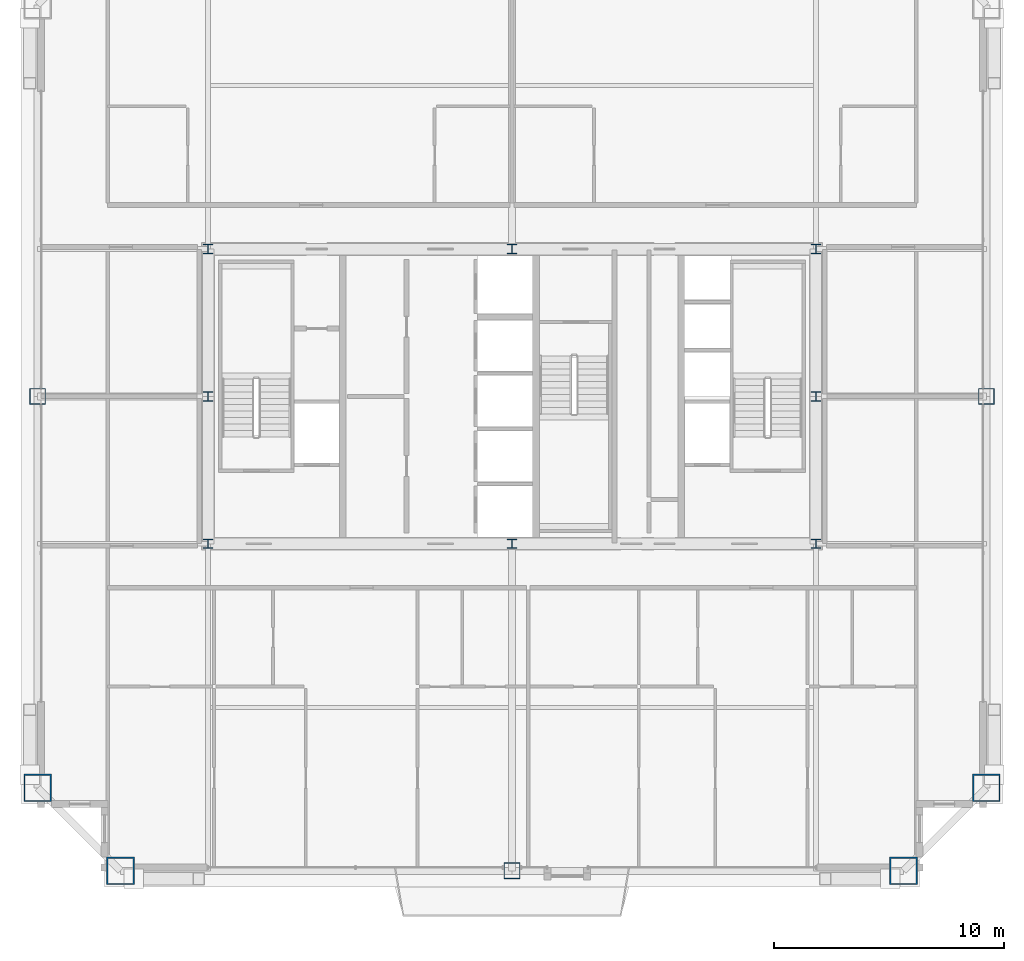
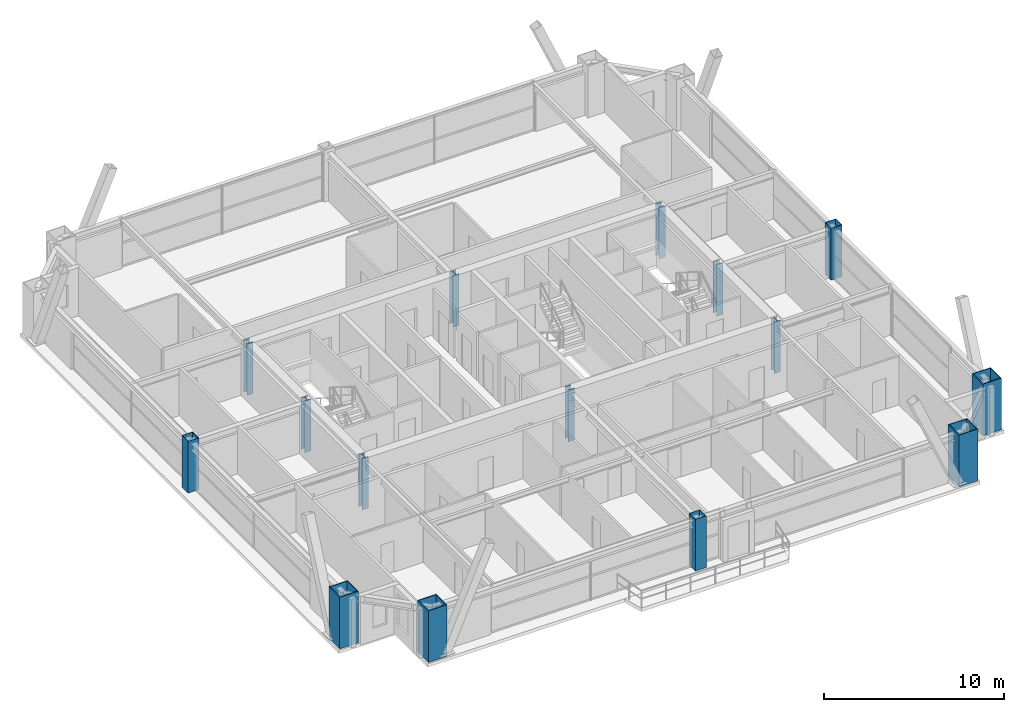
# One storey, part 1 of 35: 15 columns.
"""IFC4 building model written with IfcOpenShell, lengths in metres."""

from ifc_helpers import new_model, si_unit, direction, frame, origin, origin_2d, place, context, subcontext, project, spatial, hollow_rectangle, i_section, extrude, source, transform, mapped, material, material_profile, profile_set, type_object, element, save


model = new_model("IFC4")

# Units and contexts
model_context = context("Model", 3, precision=1e-05, world=origin(), true_north=direction((0.0, 1.0)))
body_context = subcontext(model_context, "Body", "Model", "MODEL_VIEW")
ifc_project = project(units=[si_unit("LENGTHUNIT", "METRE"), si_unit("AREAUNIT", "SQUARE_METRE"), si_unit("VOLUMEUNIT", "CUBIC_METRE"), si_unit("PLANEANGLEUNIT", "RADIAN"), si_unit("MASSUNIT", "GRAM", prefix="KILO"), si_unit("THERMODYNAMICTEMPERATUREUNIT", "KELVIN"), si_unit("POWERUNIT", "WATT")], contexts=[model_context])

# Site, building, storey
site_placement = place(None, origin())
site = spatial("IfcSite", under=ifc_project, at=site_placement, CompositionType="ELEMENT")
building_placement = place(site_placement, origin())
building = spatial("IfcBuilding", under=site, at=building_placement, Name="Yuzanri Waterfront Tower", CompositionType="ELEMENT")
storey_placement = place(building_placement, frame((0.0, 0.0, 227.60009765625)))
storey = spatial("IfcBuildingStorey", under=building, at=storey_placement, Name="L60", CompositionType="ELEMENT", Elevation=227.60009765625)

# Columns
ifc_material_1 = material(Name="Steel Q355B", Category="steel")
ifc_material_profile_1 = material_profile(ifc_material_1, i_section(OverallWidth=0.39990234375, OverallDepth=0.39990234375, WebThickness=0.012939453125, FlangeThickness=0.02099609375, at=origin_2d()), Name="HW 400x400x13x21")
ifc_profile_set_1 = profile_set([ifc_material_profile_1], Name="Steel Q355B")
column_type_1 = type_object("IfcColumnType", Name="Core Post Q355B HW 400x400x13x21", PredefinedType="COLUMN", material=ifc_profile_set_1)
shared_shape_1 = source(origin(), body_context, "Body", "SweptSolid", [
    extrude(i_section(OverallWidth=0.39990234375, OverallDepth=0.39990234375, WebThickness=0.012939453125, FlangeThickness=0.02099609375, at=origin_2d()), origin(), (0.0, 0.0, 1.0), 3.5),
])
for number, where, z_axis, x_axis, name in (
    (1, (23.800048828125, 19.39990234375, 0.0), (0.0, 0.0, 1.0), (1.0, 0.0, 0.0), "L60 Core Boundary Column CP1"),
    (2, (37.0, 19.39990234375, 0.0), (0.0, 0.0, 1.0), (1.0, 0.0, 0.0), "L60 Core Boundary Column CP2"),
    (3, (50.199951171875, 19.39990234375, 0.0), (0.0, 0.0, 1.0), (1.0, 0.0, 0.0), "L60 Core Boundary Column CP3"),
    (4, (23.800048828125, 25.800048828125, 0.0), (0.0, 0.0, 1.0), (1.0, 0.0, 0.0), "L60 Core Boundary Column CP4"),
    (5, (50.199951171875, 25.800048828125, 0.0), (0.0, 0.0, 1.0), (1.0, 0.0, 0.0), "L60 Core Boundary Column CP5"),
    (6, (23.800048828125, 32.199951171875, 0.0), (0.0, 0.0, 1.0), (1.0, 0.0, 0.0), "L60 Core Boundary Column CP6"),
    (7, (37.0, 32.199951171875, 0.0), (0.0, 0.0, 1.0), (1.0, 0.0, 0.0), "L60 Core Boundary Column CP7"),
    (8, (50.199951171875, 32.199951171875, 0.0), (0.0, 0.0, 1.0), (1.0, 0.0, 0.0), "L60 Core Boundary Column CP8"),
):
    element("IfcColumn", number, at=place(storey_placement, frame(where, z_axis=z_axis, x_axis=x_axis)), inside=storey, type_object=column_type_1, Name=name, PredefinedType="COLUMN", context=body_context, shape_type="MappedRepresentation", body=[
        mapped(shared_shape_1, transform((0.0, 0.0, 0.0), scale=1.0)),
    ])
ifc_material_2 = material(Name="Steel Q390GJC", Category="steel")
ifc_material_profile_2 = material_profile(ifc_material_2, hollow_rectangle(XDim=1.199951171875, YDim=1.199951171875, WallThickness=0.054931640625, at=origin_2d()), Name="RHS 1200x1200x55")
ifc_profile_set_2 = profile_set([ifc_material_profile_2], Name="Steel Q390GJC")
column_type_2 = type_object("IfcColumnType", Name="Mega Column Q390GJC RHS 1200x1200x55", PredefinedType="COLUMN", material=ifc_profile_set_2)
shared_shape_2 = source(origin(), body_context, "Body", "SweptSolid", [
    extrude(hollow_rectangle(XDim=1.199951171875, YDim=1.199951171875, WallThickness=0.054931640625, at=origin_2d()), origin(), (0.0, 0.0, 1.0), 3.5),
])
for number, where, z_axis, x_axis, name in (
    (9, (20.0, 5.199951171875, 0.0), (0.0, 0.0, 1.0), (1.0, 0.0, 0.0), "L60 Perimeter Mega Column S1"),
    (10, (54.0, 5.199951171875, 0.0), (0.0, 0.0, 1.0), (1.0, 0.0, 0.0), "L60 Perimeter Mega Column S3"),
    (11, (16.39990234375, 8.800048828125, 0.0), (0.0, 0.0, 1.0), (1.0, 0.0, 0.0), "L60 Perimeter Mega Column W1"),
    (12, (57.60009765625, 8.800048828125, 0.0), (0.0, 0.0, 1.0), (1.0, 0.0, 0.0), "L60 Perimeter Mega Column E1"),
):
    element("IfcColumn", number, at=place(storey_placement, frame(where, z_axis=z_axis, x_axis=x_axis)), inside=storey, type_object=column_type_2, Name=name, PredefinedType="COLUMN", context=body_context, shape_type="MappedRepresentation", body=[
        mapped(shared_shape_2, transform((0.0, 0.0, 0.0), scale=1.0)),
    ])
ifc_material_3 = material(Name="Steel Q355B", Category="steel")
ifc_material_profile_3 = material_profile(ifc_material_3, hollow_rectangle(XDim=0.699951171875, YDim=0.699951171875, WallThickness=0.031982421875, at=origin_2d()), Name="RHS 700x700x32")
ifc_profile_set_3 = profile_set([ifc_material_profile_3], Name="Steel Q355B")
column_type_3 = type_object("IfcColumnType", Name="Frame Column Q355B RHS 700x700x32", PredefinedType="COLUMN", material=ifc_profile_set_3)
shared_shape_3 = source(origin(), body_context, "Body", "SweptSolid", [
    extrude(hollow_rectangle(XDim=0.699951171875, YDim=0.699951171875, WallThickness=0.031982421875, at=origin_2d()), origin(), (0.0, 0.0, 1.0), 3.5),
])
for number, where, z_axis, x_axis, name in (
    (13, (37.0, 5.199951171875, 0.0), (0.0, 0.0, 1.0), (1.0, 0.0, 0.0), "L60 Perimeter Frame Column S2"),
    (14, (16.39990234375, 25.800048828125, 0.0), (0.0, 0.0, 1.0), (1.0, 0.0, 0.0), "L60 Perimeter Frame Column W2"),
    (15, (57.60009765625, 25.800048828125, 0.0), (0.0, 0.0, 1.0), (1.0, 0.0, 0.0), "L60 Perimeter Frame Column E2"),
):
    element("IfcColumn", number, at=place(storey_placement, frame(where, z_axis=z_axis, x_axis=x_axis)), inside=storey, type_object=column_type_3, Name=name, PredefinedType="COLUMN", context=body_context, shape_type="MappedRepresentation", body=[
        mapped(shared_shape_3, transform((0.0, 0.0, 0.0), scale=1.0)),
    ])

save(model, "model.ifc")
